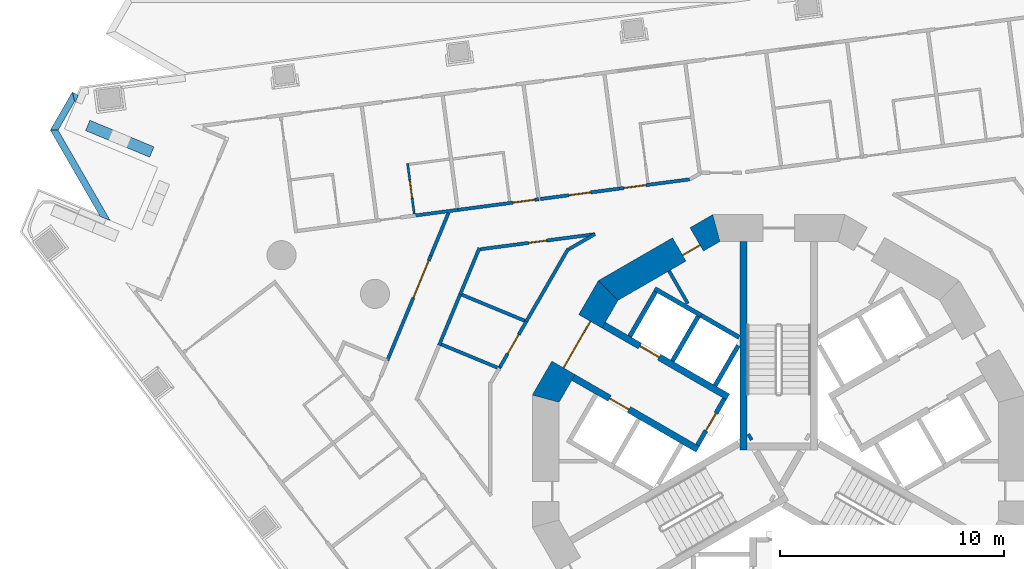
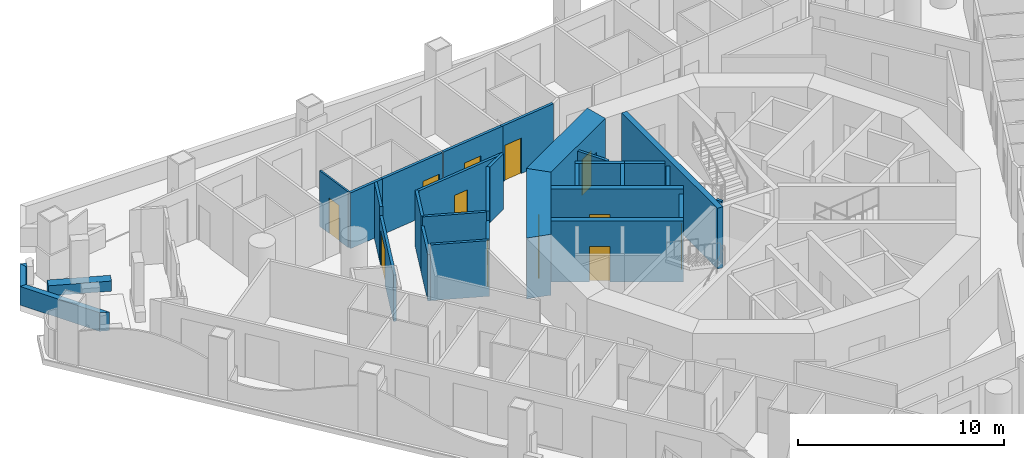
# One storey, part 7 of 20: 32 walls, 12 doors, 12 openings.
"""IFC4 building model written with IfcOpenShell, lengths in metres."""

from ifc_helpers import new_model, si_unit, direction, frame, frame_2d, origin, place, context, subcontext, project, spatial, polyline, rectangle, outline, extrude, material, layer, layer_set, type_object, element, fill, save


model = new_model("IFC4")

# Units and contexts
model_context = context("Model", 3, precision=1e-05, world=origin(), true_north=direction((0.0, 1.0)))
body_context = subcontext(model_context, "Body", "Model", "MODEL_VIEW")
ifc_project = project(units=[si_unit("LENGTHUNIT", "METRE"), si_unit("AREAUNIT", "SQUARE_METRE"), si_unit("VOLUMEUNIT", "CUBIC_METRE"), si_unit("PLANEANGLEUNIT", "RADIAN"), si_unit("MASSUNIT", "GRAM", prefix="KILO")], contexts=[model_context])

# Site, building, storey
site_placement = place(None, origin())
site = spatial("IfcSite", under=ifc_project, at=site_placement, CompositionType="ELEMENT")
building_placement = place(site_placement, origin())
building = spatial("IfcBuilding", under=site, at=building_placement, Name="Trine Commons Tower", CompositionType="ELEMENT")
storey_placement = place(building_placement, frame((0.0, 0.0, 50.39990234375)))
storey = spatial("IfcBuildingStorey", under=building, at=storey_placement, Name="L11", CompositionType="ELEMENT", Elevation=50.39990234375)

# Wall
ifc_material_1 = material(Name="Plasterboard partition on steel studs", Category="steel")
ifc_layer_1 = layer(ifc_material_1, 0.14990234375)
ifc_layer_set_1 = layer_set([ifc_layer_1], Name="Plasterboard partition on steel studs")
wall_type_1 = type_object("IfcWallType", Name="Core room partition 150 mm, EI 60", PredefinedType="PARTITIONING", material=ifc_layer_set_1)
wall_1_placement = place(storey_placement, frame((75.094970703125, 70.9970703125, 0.0), z_axis=(0.0, 0.0, 1.0), x_axis=(0.500115728942, -0.865958577338, 0.0)))
element("IfcWall", 1, at=wall_1_placement, inside=storey, type_object=wall_type_1, Name="Core room partition L11", PredefinedType="PARTITIONING", context=body_context, shape_type="SweptSolid", body=[
    extrude(rectangle(XDim=1.68359375, YDim=0.14990234375, at=frame_2d((0.841796875, 0.0))), origin(), (0.0, 0.0, 1.0), 3.300048828125),
])

# Wall, opening, door
ifc_material_2 = material(Name="Fire-rated gypsum shaft wall system")
ifc_layer_2 = layer(ifc_material_2, 0.199951171875)
ifc_layer_set_2 = layer_set([ifc_layer_2], Name="Fire-rated gypsum shaft wall system")
wall_type_2 = type_object("IfcWallType", Name="Lobby end wall 200 mm, EI 120", PredefinedType="PARTITIONING", material=ifc_layer_set_2)
wall_2_placement = place(storey_placement, frame((77.569091796875, 65.2890625, 0.0), z_axis=(0.0, 0.0, 1.0), x_axis=(-0.50012165622, -0.865955154139, 0.0)))
wall_2 = element("IfcWall", 2, at=wall_2_placement, inside=storey, type_object=wall_type_2, Name="Lobby end wall L11", PredefinedType="PARTITIONING", context=body_context, shape_type="SweptSolid", body=[
    extrude(rectangle(XDim=2.39990234375, YDim=0.199951171875, at=frame_2d((1.199951171875, 0.0))), origin(), (0.0, 0.0, 1.0), 3.300048828125),
])
opening_1_placement = place(wall_2_placement, frame((0.749755859375, 0.0, 0.0)))
opening_1 = element("IfcOpeningElement", 3, at=opening_1_placement, cuts=wall_2, Name="Opening K06.07", PredefinedType="OPENING", context=body_context, shape_type="SweptSolid", body=[
    extrude(rectangle(XDim=0.89990234375, YDim=2.10009765625, at=frame_2d((0.449951171875, 1.050048828125))), frame((0.0, 0.10986328125, 0.0), z_axis=(0.0, -1.0, 0.0), x_axis=(1.0, 0.0, 0.0)), (0.0, 0.0, 1.0), 0.219970703125),
])
ifc_material_3 = material(Name="Steel door leaf, fire-rated", Category="steel")
door_type_1 = type_object("IfcDoorType", Name="Riser access door, single leaf 900 x 2100, FD60", OperationType="SINGLE_SWING_LEFT", PredefinedType="DOOR", material=ifc_material_3)
door_1_placement = place(opening_1_placement, frame((0.89990234375, 0.0, 0.0), z_axis=(0.0, 0.0, 1.0), x_axis=(-1.0, 0.0, 0.0)))
door_1 = element("IfcDoor", 4, at=door_1_placement, inside=storey, type_object=door_type_1, Name="Riser door, Mechanical riser L11", OperationType="SINGLE_SWING_RIGHT", OverallHeight=2.10009765625, OverallWidth=0.89990234375, PredefinedType="DOOR", context=body_context, shape_type="SweptSolid", body=[
    extrude(rectangle(XDim=0.89990234375, YDim=2.10009765625, at=frame_2d((0.449951171875, 1.050048828125))), frame((0.0, 0.02490234375, 0.0), z_axis=(0.0, -1.0, 0.0), x_axis=(1.0, 0.0, 0.0)), (0.0, 0.0, 1.0), 0.050048828125),
])
fill(opening_1, door_1)

# Wall
ifc_material_4 = material(Name="Planter trough, precast concrete C40/50", Category="concrete")
ifc_layer_3 = layer(ifc_material_4, 0.5)
ifc_layer_set_3 = layer_set([ifc_layer_3], Name="Planter trough, precast concrete C40/50")
wall_type_3 = type_object("IfcWallType", Name="Planter trough 500x600", PredefinedType="PARAPET", material=ifc_layer_set_3)
wall_3_placement = place(storey_placement, frame((51.99853515625, 76.306640625, 0.0), z_axis=(0.0, 0.0, 1.0), x_axis=(-0.923883411188, 0.382674068277, 0.0)))
element("IfcWall", 5, at=wall_3_placement, inside=storey, type_object=wall_type_3, Name="Planter 3", PredefinedType="PARAPET", context=body_context, shape_type="SweptSolid", body=[
    extrude(rectangle(XDim=3.099853515625, YDim=0.5, at=frame_2d((1.5498046875, 0.0))), origin(), (0.0, 0.0, 1.0), 0.60009765625),
])

# Wall, opening, door
ifc_material_5 = material(Name="Concrete C80/95", Category="concrete")
ifc_layer_4 = layer(ifc_material_5, 1.199951171875)
ifc_layer_set_4 = layer_set([ifc_layer_4], Name="Concrete C80/95")
wall_type_4 = type_object("IfcWallType", Name="RC shear wall 1200 mm, C80/95", PredefinedType="SHEAR", material=ifc_layer_set_4)
wall_4_placement = place(storey_placement, frame((77.349609375, 72.991943359375, 0.0), z_axis=(0.0, 0.0, 1.0), x_axis=(-0.866037463336, -0.499979111662, 0.0)))
wall_4 = element("IfcWall", 6, at=wall_4_placement, inside=storey, type_object=wall_type_4, Name="Core wall CWB-05 L11", PredefinedType="SHEAR", context=body_context, shape_type="SweptSolid", body=[
    extrude(outline(polyline([(0.0, -0.60009765625), (5.901123046875, -0.60009765625), (5.57958984375, 0.60009765625), (0.321533203125, 0.60009765625), (0.0, -0.60009765625)])), origin(), (0.0, 0.0, 1.0), 3.60009765625),
])
opening_2_placement = place(wall_4_placement, frame((1.1748046875, 0.0, 0.0)))
opening_2 = element("IfcOpeningElement", 7, at=opening_2_placement, cuts=wall_4, Name="Opening K06.13", PredefinedType="OPENING", context=body_context, shape_type="SweptSolid", body=[
    extrude(rectangle(XDim=0.89990234375, YDim=2.10009765625, at=frame_2d((0.449951171875, 1.050048828125))), frame((0.0, 0.60986328125, 0.0), z_axis=(0.0, -1.0, 0.0), x_axis=(1.0, 0.0, 0.0)), (0.0, 0.0, 1.0), 1.219970703125),
])
door_type_2 = type_object("IfcDoorType", Name="Core room door, single leaf 900 x 2100, FD30S", OperationType="SINGLE_SWING_LEFT", PredefinedType="DOOR", material=ifc_material_3)
door_2_placement = place(opening_2_placement, origin())
door_2 = element("IfcDoor", 8, at=door_2_placement, inside=storey, type_object=door_type_2, Name="Door to Linen store L11", OperationType="SINGLE_SWING_LEFT", OverallHeight=2.10009765625, OverallWidth=0.89990234375, PredefinedType="DOOR", context=body_context, shape_type="SweptSolid", body=[
    extrude(rectangle(XDim=0.89990234375, YDim=2.10009765625, at=frame_2d((0.449951171875, 1.050048828125))), frame((0.0, 0.3251953125, 0.0), z_axis=(0.0, -1.0, 0.0), x_axis=(1.0, 0.0, 0.0)), (0.0, 0.0, 1.0), 0.050048828125),
])
fill(opening_2, door_2)

wall_5_placement = place(storey_placement, frame((72.45849609375, 70.260986328125, 0.0), z_axis=(0.0, 0.0, 1.0), x_axis=(-0.499979111662, -0.866037463336, 0.0)))
wall_5 = element("IfcWall", 9, at=wall_5_placement, inside=storey, type_object=wall_type_4, Name="Core wall CWB-06 L11", PredefinedType="SHEAR", context=body_context, shape_type="SweptSolid", body=[
    extrude(outline(polyline([(0.0, -0.60009765625), (5.901123046875, -0.60009765625), (5.57958984375, 0.60009765625), (0.321533203125, 0.60009765625), (0.0, -0.60009765625)])), origin(), (0.0, 0.0, 1.0), 3.60009765625),
])
opening_3_placement = place(wall_5_placement, frame((1.75048828125, 0.0, 0.0)))
opening_3 = element("IfcOpeningElement", 10, at=opening_3_placement, cuts=wall_5, Name="Opening K06.06", PredefinedType="OPENING", context=body_context, shape_type="SweptSolid", body=[
    extrude(rectangle(XDim=2.39990234375, YDim=2.10009765625, at=frame_2d((1.199951171875, 1.050048828125))), frame((0.0, 0.60986328125, 0.0), z_axis=(0.0, -1.0, 0.0), x_axis=(1.0, 0.0, 0.0)), (0.0, 0.0, 1.0), 1.219970703125),
])
ifc_material_6 = material(Name="Steel door leaves, fire-rated", Category="steel")
door_type_3 = type_object("IfcDoorType", Name="Lobby door, double leaf 2400 x 2100, FD60", OperationType="DOUBLE_DOOR_SINGLE_SWING", PredefinedType="DOOR", material=ifc_material_6)
door_3_placement = place(opening_3_placement, origin())
door_3 = element("IfcDoor", 11, at=door_3_placement, inside=storey, type_object=door_type_3, Name="Lobby door, Passenger lift lobby B L11", OperationType="DOUBLE_DOOR_SINGLE_SWING", OverallHeight=2.10009765625, OverallWidth=2.39990234375, PredefinedType="DOOR", context=body_context, shape_type="SweptSolid", body=[
    extrude(rectangle(XDim=2.39990234375, YDim=2.10009765625, at=frame_2d((1.199951171875, 1.050048828125))), frame((0.0, 0.02490234375, 0.0), z_axis=(0.0, -1.0, 0.0), x_axis=(1.0, 0.0, 0.0)), (0.0, 0.0, 1.0), 0.050048828125),
])
fill(opening_3, door_3)

ifc_layer_5 = layer(ifc_material_5, 0.300048828125)
ifc_layer_set_5 = layer_set([ifc_layer_5], Name="Concrete C80/95")
wall_type_5 = type_object("IfcWallType", Name="RC shear wall 300 mm, C80/95", PredefinedType="SHEAR", material=ifc_layer_set_5)
wall_6_placement = place(storey_placement, frame((76.381103515625, 63.031005859375, 0.0), z_axis=(0.0, 0.0, 1.0), x_axis=(-0.866032150378, 0.499988314375, 0.0)))
wall_6 = element("IfcWall", 12, at=wall_6_placement, inside=storey, type_object=wall_type_5, Name="Core cross wall SWA-01 L11", PredefinedType="SHEAR", context=body_context, shape_type="SweptSolid", body=[
    extrude(rectangle(XDim=6.412353515625, YDim=0.300048828125, at=frame_2d((3.2060546875, 0.0))), origin(), (0.0, 0.0, 1.0), 3.60009765625),
])
opening_4_placement = place(wall_6_placement, frame((3.55029296875, 0.0, 0.0)))
opening_4 = element("IfcOpeningElement", 13, at=opening_4_placement, cuts=wall_6, Name="Opening LD3", PredefinedType="OPENING", context=body_context, shape_type="SweptSolid", body=[
    extrude(rectangle(XDim=1.0, YDim=2.10009765625, at=frame_2d((0.5, 1.050048828125))), frame((0.0, 0.159912109375, 0.0), z_axis=(0.0, -1.0, 0.0), x_axis=(1.0, 0.0, 0.0)), (0.0, 0.0, 1.0), 0.320068359375),
])
ifc_material_7 = material(Name="Stainless steel sliding door leaves", Category="steel")
door_type_4 = type_object("IfcDoorType", Name="Lift landing door, centre-opening sliding 1000 x 2100, FD90", OperationType="DOUBLE_DOOR_SLIDING", PredefinedType="DOOR", material=ifc_material_7)
door_4_placement = place(opening_4_placement, origin())
door_4 = element("IfcDoor", 14, at=door_4_placement, inside=storey, type_object=door_type_4, Name="Lift landing door LR3 L11", OperationType="DOUBLE_DOOR_SLIDING", OverallHeight=2.10009765625, OverallWidth=1.0, PredefinedType="DOOR", context=body_context, shape_type="SweptSolid", body=[
    extrude(rectangle(XDim=1.0, YDim=2.10009765625, at=frame_2d((0.5, 1.050048828125))), frame((0.0, 0.02490234375, 0.0), z_axis=(0.0, -1.0, 0.0), x_axis=(1.0, 0.0, 0.0)), (0.0, 0.0, 1.0), 0.050048828125),
])
fill(opening_4, door_4)

wall_7_placement = place(storey_placement, frame((77.73095703125, 65.368896484375, 0.0), z_axis=(0.0, 0.0, 1.0), x_axis=(-0.866022631842, 0.500004801114, 0.0)))
wall_7 = element("IfcWall", 15, at=wall_7_placement, inside=storey, type_object=wall_type_5, Name="Core cross wall SWA-02 L11", PredefinedType="SHEAR", context=body_context, shape_type="SweptSolid", body=[
    extrude(rectangle(XDim=6.412109375, YDim=0.300048828125, at=frame_2d((3.2060546875, 0.0))), origin(), (0.0, 0.0, 1.0), 3.60009765625),
])
opening_5_placement = place(wall_7_placement, frame((3.55029296875, 0.0, 0.0)))
opening_5 = element("IfcOpeningElement", 16, at=opening_5_placement, cuts=wall_7, Name="Opening LD4", PredefinedType="OPENING", context=body_context, shape_type="SweptSolid", body=[
    extrude(rectangle(XDim=1.0, YDim=2.10009765625, at=frame_2d((0.5, 1.050048828125))), frame((0.0, 0.159912109375, 0.0), z_axis=(0.0, -1.0, 0.0), x_axis=(1.0, 0.0, 0.0)), (0.0, 0.0, 1.0), 0.320068359375),
])
door_5_placement = place(opening_5_placement, origin())
door_5 = element("IfcDoor", 17, at=door_5_placement, inside=storey, type_object=door_type_4, Name="Lift landing door LR4 L11", OperationType="DOUBLE_DOOR_SLIDING", OverallHeight=2.10009765625, OverallWidth=1.0, PredefinedType="DOOR", context=body_context, shape_type="SweptSolid", body=[
    extrude(rectangle(XDim=1.0, YDim=2.10009765625, at=frame_2d((0.5, 1.050048828125))), frame((0.0, 0.02490234375, 0.0), z_axis=(0.0, -1.0, 0.0), x_axis=(1.0, 0.0, 0.0)), (0.0, 0.0, 1.0), 0.050048828125),
])
fill(opening_5, door_5)

# Walls
wall_8_placement = place(storey_placement, frame((78.425048828125, 63.0009765625, 0.0), z_axis=(0.0, 0.0, 1.0), x_axis=(0.0, 1.0, 0.0)))
element("IfcWall", 18, at=wall_8_placement, inside=storey, type_object=wall_type_5, Name="Core cross wall SWA-08 L11", PredefinedType="SHEAR", context=body_context, shape_type="SweptSolid", body=[
    extrude(rectangle(XDim=9.31103515625, YDim=0.300048828125, at=frame_2d((4.655517578125, 0.0))), origin(), (0.0, 0.0, 1.0), 3.60009765625),
])
wall_9_placement = place(storey_placement, frame((78.779052734375, 63.614013671875, 0.0), z_axis=(0.0, 0.0, 1.0), x_axis=(-0.867737973955, -0.497021939713, 0.0)))
element("IfcWall", 19, at=wall_9_placement, inside=storey, type_object=wall_type_5, Name="Core cross wall SWA-09 L11", PredefinedType="SHEAR", context=body_context, shape_type="SweptSolid", body=[
    extrude(rectangle(XDim=0.14892578125, YDim=0.300048828125, at=frame_2d((0.074462890625, 0.0))), origin(), (0.0, 0.0, 1.0), 3.60009765625),
])
ifc_layer_6 = layer(ifc_material_2, 0.199951171875)
ifc_layer_set_6 = layer_set([ifc_layer_6], Name="Fire-rated gypsum shaft wall system")
wall_type_6 = type_object("IfcWallType", Name="Shaft wall 200 mm, EI 120", PredefinedType="PARTITIONING", material=ifc_layer_set_6)
wall_10_placement = place(storey_placement, frame((73.344970703125, 68.073974609375, 0.0), z_axis=(0.0, 0.0, 1.0), x_axis=(0.500215680983, 0.865900844496, 0.0)))
element("IfcWall", 20, at=wall_10_placement, inside=storey, type_object=wall_type_6, Name="Shaft wall L11", PredefinedType="PARTITIONING", context=body_context, shape_type="SweptSolid", body=[
    extrude(rectangle(XDim=2.29931640625, YDim=0.199951171875, at=frame_2d((1.149658203125, 0.0))), origin(), (0.0, 0.0, 1.0), 3.300048828125),
])
wall_11_placement = place(storey_placement, frame((75.2509765625, 66.97412109375, 0.0), z_axis=(0.0, 0.0, 1.0), x_axis=(0.500136062276, 0.86594683394, 0.0)))
element("IfcWall", 21, at=wall_11_placement, inside=storey, type_object=wall_type_6, Name="Shaft wall L11", PredefinedType="PARTITIONING", context=body_context, shape_type="SweptSolid", body=[
    extrude(rectangle(XDim=2.299072265625, YDim=0.199951171875, at=frame_2d((1.1494140625, 0.0))), origin(), (0.0, 0.0, 1.0), 3.300048828125),
])
wall_12_placement = place(storey_placement, frame((76.5380859375, 69.001953125, 0.0), z_axis=(0.0, 0.0, 1.0), x_axis=(-0.866202511239, 0.499693115345, 0.0)))
element("IfcWall", 22, at=wall_12_placement, inside=storey, type_object=wall_type_6, Name="Shaft wall L11", PredefinedType="PARTITIONING", context=body_context, shape_type="SweptSolid", body=[
    extrude(rectangle(XDim=2.4013671875, YDim=0.199951171875, at=frame_2d((1.20068359375, 0.0))), origin(), (0.0, 0.0, 1.0), 3.300048828125),
])
wall_13_placement = place(storey_placement, frame((77.156005859375, 65.8740234375, 0.0), z_axis=(0.0, 0.0, 1.0), x_axis=(0.499865770674, 0.866102887253, 0.0)))
element("IfcWall", 23, at=wall_13_placement, inside=storey, type_object=wall_type_6, Name="Shaft wall L11", PredefinedType="PARTITIONING", context=body_context, shape_type="SweptSolid", body=[
    extrude(rectangle(XDim=2.064453125, YDim=0.199951171875, at=frame_2d((1.0322265625, 0.0))), origin(), (0.0, 0.0, 1.0), 3.300048828125),
])
wall_14_placement = place(storey_placement, frame((78.22509765625, 68.028076171875, 0.0), z_axis=(0.0, 0.0, 1.0), x_axis=(-0.866052014814, 0.499953905513, 0.0)))
element("IfcWall", 24, at=wall_14_placement, inside=storey, type_object=wall_type_6, Name="Shaft wall L11", PredefinedType="PARTITIONING", context=body_context, shape_type="SweptSolid", body=[
    extrude(rectangle(XDim=1.947998046875, YDim=0.199951171875, at=frame_2d((0.97412109375, 0.0))), origin(), (0.0, 0.0, 1.0), 3.300048828125),
])
ifc_material_8 = material(Name="Limestone, honed", Category="masonry")
ifc_layer_7 = layer(ifc_material_8, 0.300048828125)
ifc_layer_set_7 = layer_set([ifc_layer_7], Name="Limestone, honed")
wall_type_7 = type_object("IfcWallType", Name="Stone parapet 300", PredefinedType="PARAPET", material=ifc_layer_set_7)
wall_15_placement = place(storey_placement, origin())
element("IfcWall", 25, at=wall_15_placement, inside=storey, type_object=wall_type_7, Name="Sliver roof parapet L10 1.1", PredefinedType="PARAPET", context=body_context, shape_type="SweptSolid", body=[
    extrude(outline(polyline([(48.714599609375, 78.830810546875), (48.4462890625, 78.985595703125), (48.555908203125, 78.57568359375), (48.5986328125, 78.551025390625), (48.714599609375, 78.830810546875)])), origin(), (0.0, 0.0, 1.0), 1.10009765625),
])
wall_16_placement = place(storey_placement, origin())
element("IfcWall", 26, at=wall_16_placement, inside=storey, type_object=wall_type_7, Name="Sliver roof parapet L10 1.2", PredefinedType="PARAPET", context=body_context, shape_type="SweptSolid", body=[
    extrude(outline(polyline([(48.4462890625, 78.985595703125), (47.464111328125, 77.28466796875), (47.810546875, 77.28466796875), (48.555908203125, 78.57568359375), (48.4462890625, 78.985595703125)])), origin(), (0.0, 0.0, 1.0), 1.10009765625),
])
wall_17_placement = place(storey_placement, origin())
element("IfcWall", 27, at=wall_17_placement, inside=storey, type_object=wall_type_7, Name="Sliver roof parapet L10 1.3", PredefinedType="PARAPET", context=body_context, shape_type="SweptSolid", body=[
    extrude(outline(polyline([(47.464111328125, 77.28466796875), (49.6884765625, 73.431884765625), (50.143798828125, 73.2431640625), (47.810546875, 77.28466796875), (47.464111328125, 77.28466796875)])), origin(), (0.0, 0.0, 1.0), 1.10009765625),
])

# Wall, opening, door
ifc_material_9 = material(Name="Gypsum plasterboard on steel stud", Category="steel")
ifc_layer_8 = layer(ifc_material_9, 0.14990234375)
ifc_layer_set_8 = layer_set([ifc_layer_8], Name="Gypsum plasterboard on steel stud")
wall_type_8 = type_object("IfcWallType", Name="Unit and corridor wall 150 mm, EI 60", PredefinedType="PARTITIONING", material=ifc_layer_set_8)
wall_18_placement = place(storey_placement, frame((62.52197265625, 67.007080078125, 0.0), z_axis=(0.0, 0.0, 1.0), x_axis=(0.382650715136, 0.923893083753, 0.0)))
wall_18 = element("IfcWall", 28, at=wall_18_placement, inside=storey, type_object=wall_type_8, Name="Partition 022", PredefinedType="PARTITIONING", context=body_context, shape_type="SweptSolid", body=[
    extrude(rectangle(XDim=5.04931640625, YDim=0.14990234375, at=frame_2d((2.524658203125, 0.0))), origin(), (0.0, 0.0, 1.0), 2.75),
])
opening_6_placement = place(wall_18_placement, frame((3.014404296875, 0.0, 0.0)))
opening_6 = element("IfcOpeningElement", 29, at=opening_6_placement, cuts=wall_18, Name="Opening D-2A03", PredefinedType="OPENING", context=body_context, shape_type="SweptSolid", body=[
    extrude(rectangle(XDim=1.800048828125, YDim=2.10009765625, at=frame_2d((0.89990234375, 1.050048828125))), frame((0.0, 0.0849609375, 0.0), z_axis=(0.0, -1.0, 0.0), x_axis=(1.0, 0.0, 0.0)), (0.0, 0.0, 1.0), 0.169921875),
])
ifc_material_10 = material(Name="Timber fire door set", Category="wood")
door_type_5 = type_object("IfcDoorType", Name="Cluster entrance door 1800 x 2100, double leaf, FD30S", OperationType="DOUBLE_DOOR_DOUBLE_SWING", PredefinedType="DOOR", material=ifc_material_10)
door_6_placement = place(opening_6_placement, origin())
door_6 = element("IfcDoor", 30, at=door_6_placement, inside=storey, type_object=door_type_5, Name="Door D-2A03", OperationType="DOUBLE_DOOR_DOUBLE_SWING", OverallHeight=2.10009765625, OverallWidth=1.800048828125, PredefinedType="DOOR", context=body_context, shape_type="SweptSolid", body=[
    extrude(rectangle(XDim=1.800048828125, YDim=2.10009765625, at=frame_2d((0.89990234375, 1.050048828125))), frame((0.0, 0.02490234375, 0.0), z_axis=(0.0, -1.0, 0.0), x_axis=(1.0, 0.0, 0.0)), (0.0, 0.0, 1.0), 0.050048828125),
])
fill(opening_6, door_6)

# Walls
wall_19_placement = place(storey_placement, frame((63.722900390625, 73.467041015625, 0.0), z_axis=(0.0, 0.0, 1.0), x_axis=(0.991489487772, 0.130186772134, 0.0)))
element("IfcWall", 31, at=wall_19_placement, inside=storey, type_object=wall_type_8, Name="Partition 027", PredefinedType="PARTITIONING", context=body_context, shape_type="SweptSolid", body=[
    extrude(rectangle(XDim=1.957763671875, YDim=0.14990234375, at=frame_2d((0.97900390625, 0.0))), origin(), (0.0, 0.0, 1.0), 3.300048828125),
])
wall_20_placement = place(storey_placement, frame((64.4541015625, 71.672119140625, 0.0), z_axis=(0.0, 0.0, 1.0), x_axis=(0.382922635391, 0.923780415091, 0.0)))
element("IfcWall", 32, at=wall_20_placement, inside=storey, type_object=wall_type_8, Name="Partition 030", PredefinedType="PARTITIONING", context=body_context, shape_type="SweptSolid", body=[
    extrude(rectangle(XDim=2.08984375, YDim=0.14990234375, at=frame_2d((1.044921875, 0.0))), origin(), (0.0, 0.0, 1.0), 3.300048828125),
])
wall_21_placement = place(storey_placement, frame((64.826416015625, 67.671630859375, 0.0), z_axis=(0.0, 0.0, 1.0), x_axis=(0.382785873713, 0.923837093261, 0.0)))
element("IfcWall", 33, at=wall_21_placement, inside=storey, type_object=wall_type_8, Name="Partition 033", PredefinedType="PARTITIONING", context=body_context, shape_type="SweptSolid", body=[
    extrude(rectangle(XDim=2.483642578125, YDim=0.14990234375, at=frame_2d((1.24169921875, 0.0))), origin(), (0.0, 0.0, 1.0), 2.75),
])
wall_22_placement = place(storey_placement, frame((64.92626953125, 67.71533203125, 0.0), z_axis=(0.0, 0.0, 1.0), x_axis=(0.923886418472, -0.382666807761, 0.0)))
element("IfcWall", 34, at=wall_22_placement, inside=storey, type_object=wall_type_8, Name="Partition 034", PredefinedType="PARTITIONING", context=body_context, shape_type="SweptSolid", body=[
    extrude(rectangle(XDim=2.874755859375, YDim=0.14990234375, at=frame_2d((1.4375, 0.0))), origin(), (0.0, 0.0, 1.0), 3.300048828125),
])

# Wall, opening, door
wall_23_placement = place(storey_placement, frame((65.656005859375, 73.720947265625, 0.0), z_axis=(0.0, 0.0, 1.0), x_axis=(0.991433351305, 0.130613590106, 0.0)))
wall_23 = element("IfcWall", 35, at=wall_23_placement, inside=storey, type_object=wall_type_8, Name="Partition 037", PredefinedType="PARTITIONING", context=body_context, shape_type="SweptSolid", body=[
    extrude(rectangle(XDim=3.65234375, YDim=0.14990234375, at=frame_2d((1.826171875, 0.0))), origin(), (0.0, 0.0, 1.0), 3.300048828125),
])
opening_7_placement = place(wall_23_placement, frame((2.47314453125, 0.0, 0.0)))
opening_7 = element("IfcOpeningElement", 36, at=opening_7_placement, cuts=wall_23, Name="Opening D-2A09", PredefinedType="OPENING", context=body_context, shape_type="SweptSolid", body=[
    extrude(rectangle(XDim=1.0, YDim=2.10009765625, at=frame_2d((0.5, 1.050048828125))), frame((0.0, 0.0849609375, 0.0), z_axis=(0.0, -1.0, 0.0), x_axis=(1.0, 0.0, 0.0)), (0.0, 0.0, 1.0), 0.169921875),
])
door_type_6 = type_object("IfcDoorType", Name="Bedroom door 1000 x 2100, FD30S", OperationType="NOTDEFINED", PredefinedType="DOOR", material=ifc_material_10)
door_7_placement = place(opening_7_placement, origin())
door_7 = element("IfcDoor", 37, at=door_7_placement, inside=storey, type_object=door_type_6, Name="Door D-2A09", OperationType="SINGLE_SWING_RIGHT", OverallHeight=2.10009765625, OverallWidth=1.0, PredefinedType="DOOR", context=body_context, shape_type="SweptSolid", body=[
    extrude(rectangle(XDim=1.0, YDim=2.10009765625, at=frame_2d((0.5, 1.050048828125))), frame((0.0, 0.02490234375, 0.0), z_axis=(0.0, -1.0, 0.0), x_axis=(1.0, 0.0, 0.0)), (0.0, 0.0, 1.0), 0.050048828125),
])
fill(opening_7, door_7)

# Walls
wall_24_placement = place(storey_placement, frame((65.77392578125, 69.9580078125, 0.0), z_axis=(0.0, 0.0, 1.0), x_axis=(0.382599241046, 0.923914401203, 0.0)))
element("IfcWall", 38, at=wall_24_placement, inside=storey, type_object=wall_type_8, Name="Partition 039", PredefinedType="PARTITIONING", context=body_context, shape_type="SweptSolid", body=[
    extrude(rectangle(XDim=2.236572265625, YDim=0.14990234375, at=frame_2d((1.1181640625, 0.0))), origin(), (0.0, 0.0, 1.0), 3.300048828125),
])
wall_25_placement = place(storey_placement, frame((65.77490234375, 69.9619140625, 0.0), z_axis=(0.0, 0.0, 1.0), x_axis=(0.923918484918, -0.382589379397, 0.0)))
element("IfcWall", 39, at=wall_25_placement, inside=storey, type_object=wall_type_8, Name="Partition 040", PredefinedType="PARTITIONING", context=body_context, shape_type="SweptSolid", body=[
    extrude(rectangle(XDim=3.115966796875, YDim=0.14990234375, at=frame_2d((1.55810546875, 0.0))), origin(), (0.0, 0.0, 1.0), 3.300048828125),
])

# Wall, opening, door
wall_26_placement = place(storey_placement, frame((66.67529296875, 71.96484375, 0.0), z_axis=(0.0, 0.0, 1.0), x_axis=(0.991459293276, 0.130416524172, 0.0)))
wall_26 = element("IfcWall", 40, at=wall_26_placement, inside=storey, type_object=wall_type_8, Name="Partition 041", PredefinedType="PARTITIONING", context=body_context, shape_type="SweptSolid", body=[
    extrude(rectangle(XDim=5.153564453125, YDim=0.14990234375, at=frame_2d((2.57666015625, 0.0))), origin(), (0.0, 0.0, 1.0), 3.300048828125),
])
opening_8_placement = place(wall_26_placement, frame((2.17578125, 0.0, 0.0)))
opening_8 = element("IfcOpeningElement", 41, at=opening_8_placement, cuts=wall_26, Name="Opening D-2A39", PredefinedType="OPENING", context=body_context, shape_type="SweptSolid", body=[
    extrude(rectangle(XDim=0.800048828125, YDim=2.10009765625, at=frame_2d((0.39990234375, 1.050048828125))), frame((0.0, 0.0849609375, 0.0), z_axis=(0.0, -1.0, 0.0), x_axis=(1.0, 0.0, 0.0)), (0.0, 0.0, 1.0), 0.169921875),
])
ifc_material_11 = material(Name="Painted timber", Category="wood")
door_type_7 = type_object("IfcDoorType", Name="Toilet door 800 x 2100, NOT RATED", OperationType="NOTDEFINED", PredefinedType="DOOR", material=ifc_material_11)
door_8_placement = place(opening_8_placement, frame((0.800048828125, 0.0, 0.0), z_axis=(0.0, 0.0, 1.0), x_axis=(-1.0, 0.0, 0.0)))
door_8 = element("IfcDoor", 42, at=door_8_placement, inside=storey, type_object=door_type_7, Name="Door D-2A39", OperationType="SINGLE_SWING_RIGHT", OverallHeight=2.10009765625, OverallWidth=0.800048828125, PredefinedType="DOOR", context=body_context, shape_type="SweptSolid", body=[
    extrude(rectangle(XDim=0.800048828125, YDim=2.10009765625, at=frame_2d((0.39990234375, 1.050048828125))), frame((0.0, 0.02490234375, 0.0), z_axis=(0.0, -1.0, 0.0), x_axis=(1.0, 0.0, 0.0)), (0.0, 0.0, 1.0), 0.050048828125),
])
fill(opening_8, door_8)

wall_27_placement = place(storey_placement, frame((67.547607421875, 66.704833984375, 0.0), z_axis=(0.0, 0.0, 1.0), x_axis=(0.500075472253, 0.865981825474, 0.0)))
wall_27 = element("IfcWall", 43, at=wall_27_placement, inside=storey, type_object=wall_type_8, Name="Partition 045", PredefinedType="PARTITIONING", context=body_context, shape_type="SweptSolid", body=[
    extrude(rectangle(XDim=2.354736328125, YDim=0.14990234375, at=frame_2d((1.17724609375, 0.0))), origin(), (0.0, 0.0, 1.0), 2.75),
])
opening_9_placement = place(wall_27_placement, frame((0.675537109375, 0.0, 0.0)))
opening_9 = element("IfcOpeningElement", 44, at=opening_9_placement, cuts=wall_27, Name="Opening D-2A40", PredefinedType="OPENING", context=body_context, shape_type="SweptSolid", body=[
    extrude(rectangle(XDim=1.0, YDim=2.10009765625, at=frame_2d((0.5, 1.050048828125))), frame((0.0, 0.0849609375, 0.0), z_axis=(0.0, -1.0, 0.0), x_axis=(1.0, 0.0, 0.0)), (0.0, 0.0, 1.0), 0.169921875),
])
door_type_8 = type_object("IfcDoorType", Name="Toilet door 1000 x 2100, NOT RATED", OperationType="NOTDEFINED", PredefinedType="DOOR", material=ifc_material_11)
door_9_placement = place(opening_9_placement, origin())
door_9 = element("IfcDoor", 45, at=door_9_placement, inside=storey, type_object=door_type_8, Name="Door D-2A40", OperationType="SINGLE_SWING_LEFT", OverallHeight=2.10009765625, OverallWidth=1.0, PredefinedType="DOOR", context=body_context, shape_type="SweptSolid", body=[
    extrude(rectangle(XDim=1.0, YDim=2.10009765625, at=frame_2d((0.5, 1.050048828125))), frame((0.0, 0.02490234375, 0.0), z_axis=(0.0, -1.0, 0.0), x_axis=(1.0, 0.0, 0.0)), (0.0, 0.0, 1.0), 0.050048828125),
])
fill(opening_9, door_9)

# Wall
wall_28_placement = place(storey_placement, frame((68.720947265625, 68.737060546875, 0.0), z_axis=(0.0, 0.0, 1.0), x_axis=(0.499855260579, 0.866108953002, 0.0)))
element("IfcWall", 46, at=wall_28_placement, inside=storey, type_object=wall_type_8, Name="Partition 050", PredefinedType="PARTITIONING", context=body_context, shape_type="SweptSolid", body=[
    extrude(rectangle(XDim=3.76611328125, YDim=0.14990234375, at=frame_2d((1.883056640625, 0.0))), origin(), (0.0, 0.0, 1.0), 3.300048828125),
])

# Wall, opening, door
wall_29_placement = place(storey_placement, frame((69.343505859375, 74.206787109375, 0.0), z_axis=(0.0, 0.0, 1.0), x_axis=(0.991427646688, 0.130656884173, 0.0)))
wall_29 = element("IfcWall", 47, at=wall_29_placement, inside=storey, type_object=wall_type_8, Name="Partition 053", PredefinedType="PARTITIONING", context=body_context, shape_type="SweptSolid", body=[
    extrude(rectangle(XDim=3.651123046875, YDim=0.14990234375, at=frame_2d((1.82568359375, 0.0))), origin(), (0.0, 0.0, 1.0), 3.300048828125),
])
opening_10_placement = place(wall_29_placement, frame((1.285888671875, 0.0, 0.0)))
opening_10 = element("IfcOpeningElement", 48, at=opening_10_placement, cuts=wall_29, Name="Opening D-2A10", PredefinedType="OPENING", context=body_context, shape_type="SweptSolid", body=[
    extrude(rectangle(XDim=1.0, YDim=2.10009765625, at=frame_2d((0.5, 1.050048828125))), frame((0.0, 0.0849609375, 0.0), z_axis=(0.0, -1.0, 0.0), x_axis=(1.0, 0.0, 0.0)), (0.0, 0.0, 1.0), 0.169921875),
])
door_type_9 = type_object("IfcDoorType", Name="Amenity room door 1000 x 2100, NOT RATED", OperationType="NOTDEFINED", PredefinedType="DOOR", material=ifc_material_11)
door_10_placement = place(opening_10_placement, origin())
door_10 = element("IfcDoor", 49, at=door_10_placement, inside=storey, type_object=door_type_9, Name="Door D-2A10", OperationType="SINGLE_SWING_LEFT", OverallHeight=2.10009765625, OverallWidth=1.0, PredefinedType="DOOR", context=body_context, shape_type="SweptSolid", body=[
    extrude(rectangle(XDim=1.0, YDim=2.10009765625, at=frame_2d((0.5, 1.050048828125))), frame((0.0, 0.02490234375, 0.0), z_axis=(0.0, -1.0, 0.0), x_axis=(1.0, 0.0, 0.0)), (0.0, 0.0, 1.0), 0.050048828125),
])
fill(opening_10, door_10)

# Wall
wall_30_placement = place(storey_placement, frame((70.630859375, 71.971435546875, 0.0), z_axis=(0.0, 0.0, 1.0), x_axis=(0.865822790046, 0.500350773195, 0.0)))
element("IfcWall", 50, at=wall_30_placement, inside=storey, type_object=wall_type_8, Name="Partition 056", PredefinedType="PARTITIONING", context=body_context, shape_type="SweptSolid", body=[
    extrude(rectangle(XDim=1.333984375, YDim=0.14990234375, at=frame_2d((0.6669921875, 0.0))), origin(), (0.0, 0.0, 1.0), 3.300048828125),
])

# Wall, opening, door
wall_31_placement = place(storey_placement, frame((72.881103515625, 74.673095703125, 0.0), z_axis=(0.0, 0.0, 1.0), x_axis=(0.991447742753, 0.130504304105, 0.0)))
wall_31 = element("IfcWall", 51, at=wall_31_placement, inside=storey, type_object=wall_type_8, Name="Partition 063", PredefinedType="PARTITIONING", context=body_context, shape_type="SweptSolid", body=[
    extrude(rectangle(XDim=3.1708984375, YDim=0.14990234375, at=frame_2d((1.58544921875, 0.0))), origin(), (0.0, 0.0, 1.0), 3.300048828125),
])
opening_11_placement = place(wall_31_placement, frame((0.197998046875, 0.0, 0.0)))
opening_11 = element("IfcOpeningElement", 52, at=opening_11_placement, cuts=wall_31, Name="Opening D-2A11", PredefinedType="OPENING", context=body_context, shape_type="SweptSolid", body=[
    extrude(rectangle(XDim=1.0, YDim=2.10009765625, at=frame_2d((0.5, 1.050048828125))), frame((0.0, 0.0849609375, 0.0), z_axis=(0.0, -1.0, 0.0), x_axis=(1.0, 0.0, 0.0)), (0.0, 0.0, 1.0), 0.169921875),
])
door_11_placement = place(opening_11_placement, origin())
door_11 = element("IfcDoor", 53, at=door_11_placement, inside=storey, type_object=door_type_6, Name="Door D-2A11", OperationType="SINGLE_SWING_LEFT", OverallHeight=2.10009765625, OverallWidth=1.0, PredefinedType="DOOR", context=body_context, shape_type="SweptSolid", body=[
    extrude(rectangle(XDim=1.0, YDim=2.10009765625, at=frame_2d((0.5, 1.050048828125))), frame((0.0, 0.02490234375, 0.0), z_axis=(0.0, -1.0, 0.0), x_axis=(1.0, 0.0, 0.0)), (0.0, 0.0, 1.0), 0.050048828125),
])
fill(opening_11, door_11)

ifc_layer_9 = layer(ifc_material_9, 0.10009765625)
ifc_layer_set_9 = layer_set([ifc_layer_9], Name="Gypsum plasterboard on steel stud")
wall_type_9 = type_object("IfcWallType", Name="Unit partition 100 mm, no rating", PredefinedType="PARTITIONING", material=ifc_layer_set_9)
wall_32_placement = place(storey_placement, frame((63.42041015625, 75.797607421875, 0.0), z_axis=(0.0, 0.0, 1.0), x_axis=(0.130518372124, -0.991445890878, 0.0)))
wall_32 = element("IfcWall", 54, at=wall_32_placement, inside=storey, type_object=wall_type_9, Name="Partition 025", PredefinedType="PARTITIONING", context=body_context, shape_type="SweptSolid", body=[
    extrude(rectangle(XDim=2.274658203125, YDim=0.10009765625, at=frame_2d((1.13720703125, 0.0))), origin(), (0.0, 0.0, 1.0), 3.300048828125),
])
opening_12_placement = place(wall_32_placement, frame((0.76220703125, 0.0, 0.0)))
opening_12 = element("IfcOpeningElement", 55, at=opening_12_placement, cuts=wall_32, Name="Opening D-2A42", PredefinedType="OPENING", context=body_context, shape_type="SweptSolid", body=[
    extrude(rectangle(XDim=0.800048828125, YDim=2.10009765625, at=frame_2d((0.39990234375, 1.050048828125))), frame((0.0, 0.06005859375, 0.0), z_axis=(0.0, -1.0, 0.0), x_axis=(1.0, 0.0, 0.0)), (0.0, 0.0, 1.0), 0.1201171875),
])
door_type_10 = type_object("IfcDoorType", Name="Internal door 800 x 2100, NOT RATED", OperationType="NOTDEFINED", PredefinedType="DOOR", material=ifc_material_11)
door_12_placement = place(opening_12_placement, frame((0.800048828125, 0.0, 0.0), z_axis=(0.0, 0.0, 1.0), x_axis=(-1.0, 0.0, 0.0)))
door_12 = element("IfcDoor", 56, at=door_12_placement, inside=storey, type_object=door_type_10, Name="Door D-2A42", OperationType="SINGLE_SWING_LEFT", OverallHeight=2.10009765625, OverallWidth=0.800048828125, PredefinedType="DOOR", context=body_context, shape_type="SweptSolid", body=[
    extrude(rectangle(XDim=0.800048828125, YDim=2.10009765625, at=frame_2d((0.39990234375, 1.050048828125))), frame((0.0, 0.02490234375, 0.0), z_axis=(0.0, -1.0, 0.0), x_axis=(1.0, 0.0, 0.0)), (0.0, 0.0, 1.0), 0.050048828125),
])
fill(opening_12, door_12)

save(model, "model.ifc")
